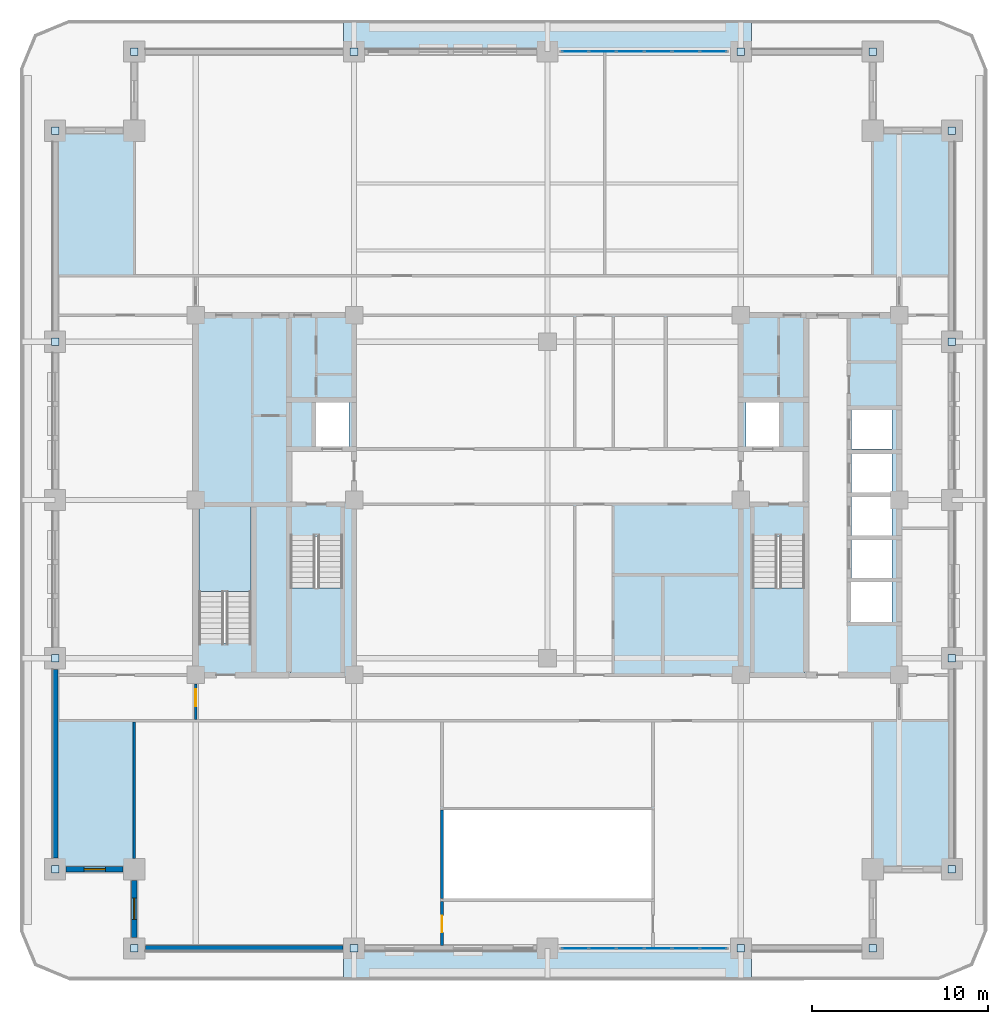
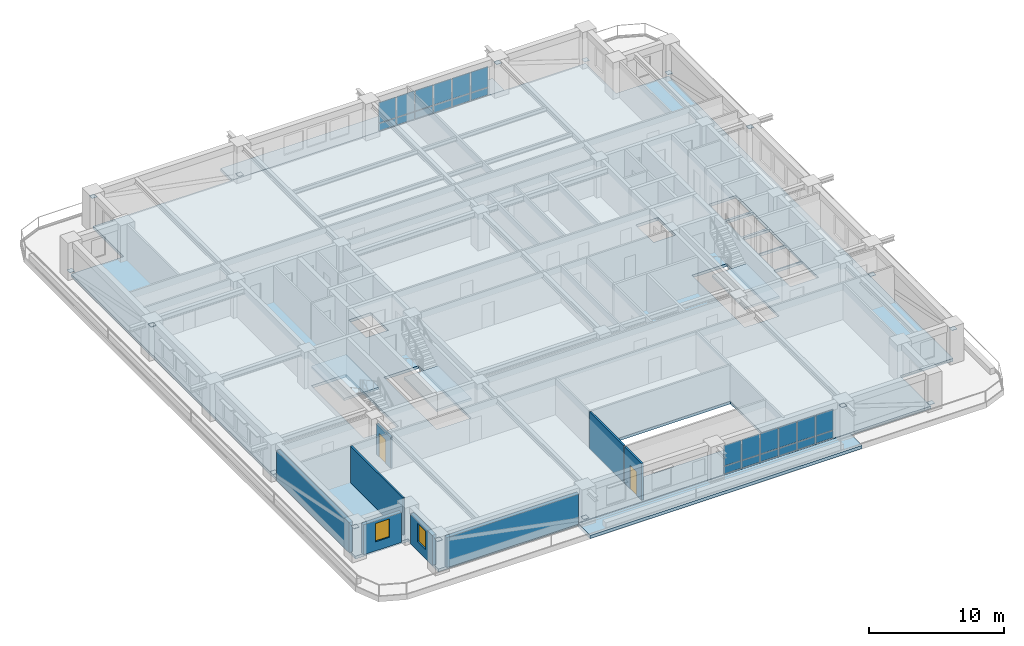
# One storey, part 7 of 20: 40 plates, 8 walls, 6 slabs, 2 doors, 2 windows, 4 openings, 5 elements without a shape of their own.
"""IFC4 building model written with IfcOpenShell, lengths in metres."""

from ifc_helpers import new_model, si_unit, direction, frame, frame_2d, origin, origin_2d, place, context, subcontext, project, spatial, polyline, rectangle, outline, extrude, material, layer, layer_set, type_object, element, fill, aggregate, save


model = new_model("IFC4")

# Units and contexts
model_context = context("Model", 3, precision=1e-05, world=origin(), true_north=direction((0.0, 1.0)))
body_context = subcontext(model_context, "Body", "Model", "MODEL_VIEW")
ifc_project = project(units=[si_unit("LENGTHUNIT", "METRE"), si_unit("AREAUNIT", "SQUARE_METRE"), si_unit("VOLUMEUNIT", "CUBIC_METRE"), si_unit("PLANEANGLEUNIT", "RADIAN"), si_unit("MASSUNIT", "GRAM", prefix="KILO")], contexts=[model_context])

# Site, building, storey
site_placement = place(None, origin())
site = spatial("IfcSite", under=ifc_project, at=site_placement, CompositionType="ELEMENT")
building_placement = place(site_placement, origin())
building = spatial("IfcBuilding", under=site, at=building_placement, Name="Zulmaris Gate Convention Tower", CompositionType="ELEMENT")
storey_placement = place(building_placement, frame((0.0, 0.0, 146.33984375)))
storey = spatial("IfcBuildingStorey", under=building, at=storey_placement, Name="L37", CompositionType="ELEMENT", Elevation=146.33984375)

# Curtain wall, plates
ifc_material_1 = material(Name="Anodised Aluminium", Category="aluminium")
curtain_wall_type = type_object("IfcCurtainWallType", Name="CW-06", PredefinedType="NOTDEFINED", material=ifc_material_1)
curtain_wall_1_placement = place(storey_placement, origin())
curtain_wall_1 = element("IfcCurtainWall", 1, at=curtain_wall_1_placement, inside=storey, type_object=curtain_wall_type, Name="CW-06 CW06-L37-S-2_0", PredefinedType="NOTDEFINED")
ifc_material_2 = material(Name="Low-E Double Glazing", Category="glass")
ifc_layer_1 = layer(ifc_material_2, 0.028076171875, Name="Low-E Double Glazing")
ifc_layer_set_1 = layer_set([ifc_layer_1], Name="Low-E Double Glazing")
plate_type_1 = type_object("IfcPlateType", Name="CW-06-VISION", PredefinedType="CURTAIN_PANEL", material=ifc_layer_set_1)
plate_1_placement = place(storey_placement, frame((1.56884765625, -25.5, 0.0751953125), z_axis=(0.0, 0.0, 1.0), x_axis=(1.0, 0.0, 0.0)))
plate_1 = element("IfcPlate", 2, at=plate_1_placement, type_object=plate_type_1, Name="CW-06 panel 1.1", PredefinedType="CURTAIN_PANEL", context=body_context, shape_type="SweptSolid", body=[
    extrude(rectangle(XDim=1.467529296875, YDim=0.028076171875, at=origin_2d()), origin(), (0.0, 0.0, 1.0), 0.637451171875),
])
plate_2_placement = place(storey_placement, frame((1.56884765625, -25.5, 0.787353515625), z_axis=(0.0, 0.0, 1.0), x_axis=(1.0, 0.0, 0.0)))
plate_2 = element("IfcPlate", 3, at=plate_2_placement, type_object=plate_type_1, Name="CW-06 panel 1.2", PredefinedType="CURTAIN_PANEL", context=body_context, shape_type="SweptSolid", body=[
    extrude(rectangle(XDim=1.467529296875, YDim=0.028076171875, at=origin_2d()), origin(), (0.0, 0.0, 1.0), 1.849609375),
])
plate_3_placement = place(storey_placement, frame((3.1298828125, -25.5, 0.0751953125), z_axis=(0.0, 0.0, 1.0), x_axis=(1.0, 0.0, 0.0)))
plate_3 = element("IfcPlate", 4, at=plate_3_placement, type_object=plate_type_1, Name="CW-06 panel 2.1", PredefinedType="CURTAIN_PANEL", context=body_context, shape_type="SweptSolid", body=[
    extrude(rectangle(XDim=1.5048828125, YDim=0.028076171875, at=origin_2d()), origin(), (0.0, 0.0, 1.0), 0.637451171875),
])
plate_4_placement = place(storey_placement, frame((3.1298828125, -25.5, 0.787353515625), z_axis=(0.0, 0.0, 1.0), x_axis=(1.0, 0.0, 0.0)))
plate_4 = element("IfcPlate", 5, at=plate_4_placement, type_object=plate_type_1, Name="CW-06 panel 2.2", PredefinedType="CURTAIN_PANEL", context=body_context, shape_type="SweptSolid", body=[
    extrude(rectangle(XDim=1.5048828125, YDim=0.028076171875, at=origin_2d()), origin(), (0.0, 0.0, 1.0), 1.849609375),
])
plate_5_placement = place(storey_placement, frame((4.7099609375, -25.5, 0.0751953125), z_axis=(0.0, 0.0, 1.0), x_axis=(1.0, 0.0, 0.0)))
plate_5 = element("IfcPlate", 6, at=plate_5_placement, type_object=plate_type_1, Name="CW-06 panel 3.1", PredefinedType="CURTAIN_PANEL", context=body_context, shape_type="SweptSolid", body=[
    extrude(rectangle(XDim=1.5048828125, YDim=0.028076171875, at=origin_2d()), origin(), (0.0, 0.0, 1.0), 0.637451171875),
])
plate_6_placement = place(storey_placement, frame((4.7099609375, -25.5, 0.787353515625), z_axis=(0.0, 0.0, 1.0), x_axis=(1.0, 0.0, 0.0)))
plate_6 = element("IfcPlate", 7, at=plate_6_placement, type_object=plate_type_1, Name="CW-06 panel 3.2", PredefinedType="CURTAIN_PANEL", context=body_context, shape_type="SweptSolid", body=[
    extrude(rectangle(XDim=1.5048828125, YDim=0.028076171875, at=origin_2d()), origin(), (0.0, 0.0, 1.0), 1.849609375),
])
plate_7_placement = place(storey_placement, frame((6.2900390625, -25.5, 0.0751953125), z_axis=(0.0, 0.0, 1.0), x_axis=(1.0, 0.0, 0.0)))
plate_7 = element("IfcPlate", 8, at=plate_7_placement, type_object=plate_type_1, Name="CW-06 panel 4.1", PredefinedType="CURTAIN_PANEL", context=body_context, shape_type="SweptSolid", body=[
    extrude(rectangle(XDim=1.5048828125, YDim=0.028076171875, at=origin_2d()), origin(), (0.0, 0.0, 1.0), 0.637451171875),
])
plate_8_placement = place(storey_placement, frame((6.2900390625, -25.5, 0.787353515625), z_axis=(0.0, 0.0, 1.0), x_axis=(1.0, 0.0, 0.0)))
plate_8 = element("IfcPlate", 9, at=plate_8_placement, type_object=plate_type_1, Name="CW-06 panel 4.2", PredefinedType="CURTAIN_PANEL", context=body_context, shape_type="SweptSolid", body=[
    extrude(rectangle(XDim=1.5048828125, YDim=0.028076171875, at=origin_2d()), origin(), (0.0, 0.0, 1.0), 1.849609375),
])
plate_9_placement = place(storey_placement, frame((7.8701171875, -25.5, 0.0751953125), z_axis=(0.0, 0.0, 1.0), x_axis=(1.0, 0.0, 0.0)))
plate_9 = element("IfcPlate", 10, at=plate_9_placement, type_object=plate_type_1, Name="CW-06 panel 5.1", PredefinedType="CURTAIN_PANEL", context=body_context, shape_type="SweptSolid", body=[
    extrude(rectangle(XDim=1.5048828125, YDim=0.028076171875, at=origin_2d()), origin(), (0.0, 0.0, 1.0), 0.637451171875),
])
plate_10_placement = place(storey_placement, frame((7.8701171875, -25.5, 0.787353515625), z_axis=(0.0, 0.0, 1.0), x_axis=(1.0, 0.0, 0.0)))
plate_10 = element("IfcPlate", 11, at=plate_10_placement, type_object=plate_type_1, Name="CW-06 panel 5.2", PredefinedType="CURTAIN_PANEL", context=body_context, shape_type="SweptSolid", body=[
    extrude(rectangle(XDim=1.5048828125, YDim=0.028076171875, at=origin_2d()), origin(), (0.0, 0.0, 1.0), 1.849609375),
])
plate_11_placement = place(storey_placement, frame((9.43115234375, -25.5, 0.0751953125), z_axis=(0.0, 0.0, 1.0), x_axis=(1.0, 0.0, 0.0)))
plate_11 = element("IfcPlate", 12, at=plate_11_placement, type_object=plate_type_1, Name="CW-06 panel 6.1", PredefinedType="CURTAIN_PANEL", context=body_context, shape_type="SweptSolid", body=[
    extrude(rectangle(XDim=1.467529296875, YDim=0.028076171875, at=origin_2d()), origin(), (0.0, 0.0, 1.0), 0.637451171875),
])
plate_12_placement = place(storey_placement, frame((9.43115234375, -25.5, 0.787353515625), z_axis=(0.0, 0.0, 1.0), x_axis=(1.0, 0.0, 0.0)))
plate_12 = element("IfcPlate", 13, at=plate_12_placement, type_object=plate_type_1, Name="CW-06 panel 6.2", PredefinedType="CURTAIN_PANEL", context=body_context, shape_type="SweptSolid", body=[
    extrude(rectangle(XDim=1.467529296875, YDim=0.028076171875, at=origin_2d()), origin(), (0.0, 0.0, 1.0), 1.849609375),
])
aggregate(curtain_wall_1, [plate_1, plate_2, plate_3, plate_4, plate_5, plate_6, plate_7, plate_8, plate_9, plate_10, plate_11, plate_12])

curtain_wall_2_placement = place(storey_placement, origin())
curtain_wall_2 = element("IfcCurtainWall", 14, at=curtain_wall_2_placement, inside=storey, type_object=curtain_wall_type, Name="CW-06 CW06-L37-N-2_0", PredefinedType="NOTDEFINED")
plate_13_placement = place(storey_placement, frame((9.43115234375, 25.5, 0.0751953125), z_axis=(0.0, 0.0, 1.0), x_axis=(-1.0, 0.0, 0.0)))
plate_13 = element("IfcPlate", 15, at=plate_13_placement, type_object=plate_type_1, Name="CW-06 panel 1.1", PredefinedType="CURTAIN_PANEL", context=body_context, shape_type="SweptSolid", body=[
    extrude(rectangle(XDim=1.467529296875, YDim=0.028076171875, at=origin_2d()), origin(), (0.0, 0.0, 1.0), 0.637451171875),
])
plate_14_placement = place(storey_placement, frame((9.43115234375, 25.5, 0.787353515625), z_axis=(0.0, 0.0, 1.0), x_axis=(-1.0, 0.0, 0.0)))
plate_14 = element("IfcPlate", 16, at=plate_14_placement, type_object=plate_type_1, Name="CW-06 panel 1.2", PredefinedType="CURTAIN_PANEL", context=body_context, shape_type="SweptSolid", body=[
    extrude(rectangle(XDim=1.467529296875, YDim=0.028076171875, at=origin_2d()), origin(), (0.0, 0.0, 1.0), 1.849609375),
])
plate_15_placement = place(storey_placement, frame((7.8701171875, 25.5, 0.0751953125), z_axis=(0.0, 0.0, 1.0), x_axis=(-1.0, 0.0, 0.0)))
plate_15 = element("IfcPlate", 17, at=plate_15_placement, type_object=plate_type_1, Name="CW-06 panel 2.1", PredefinedType="CURTAIN_PANEL", context=body_context, shape_type="SweptSolid", body=[
    extrude(rectangle(XDim=1.5048828125, YDim=0.028076171875, at=origin_2d()), origin(), (0.0, 0.0, 1.0), 0.637451171875),
])
plate_16_placement = place(storey_placement, frame((7.8701171875, 25.5, 0.787353515625), z_axis=(0.0, 0.0, 1.0), x_axis=(-1.0, 0.0, 0.0)))
plate_16 = element("IfcPlate", 18, at=plate_16_placement, type_object=plate_type_1, Name="CW-06 panel 2.2", PredefinedType="CURTAIN_PANEL", context=body_context, shape_type="SweptSolid", body=[
    extrude(rectangle(XDim=1.5048828125, YDim=0.028076171875, at=origin_2d()), origin(), (0.0, 0.0, 1.0), 1.849609375),
])
plate_17_placement = place(storey_placement, frame((6.2900390625, 25.5, 0.0751953125), z_axis=(0.0, 0.0, 1.0), x_axis=(-1.0, 0.0, 0.0)))
plate_17 = element("IfcPlate", 19, at=plate_17_placement, type_object=plate_type_1, Name="CW-06 panel 3.1", PredefinedType="CURTAIN_PANEL", context=body_context, shape_type="SweptSolid", body=[
    extrude(rectangle(XDim=1.5048828125, YDim=0.028076171875, at=origin_2d()), origin(), (0.0, 0.0, 1.0), 0.637451171875),
])
plate_18_placement = place(storey_placement, frame((6.2900390625, 25.5, 0.787353515625), z_axis=(0.0, 0.0, 1.0), x_axis=(-1.0, 0.0, 0.0)))
plate_18 = element("IfcPlate", 20, at=plate_18_placement, type_object=plate_type_1, Name="CW-06 panel 3.2", PredefinedType="CURTAIN_PANEL", context=body_context, shape_type="SweptSolid", body=[
    extrude(rectangle(XDim=1.5048828125, YDim=0.028076171875, at=origin_2d()), origin(), (0.0, 0.0, 1.0), 1.849609375),
])
plate_19_placement = place(storey_placement, frame((4.7099609375, 25.5, 0.0751953125), z_axis=(0.0, 0.0, 1.0), x_axis=(-1.0, 0.0, 0.0)))
plate_19 = element("IfcPlate", 21, at=plate_19_placement, type_object=plate_type_1, Name="CW-06 panel 4.1", PredefinedType="CURTAIN_PANEL", context=body_context, shape_type="SweptSolid", body=[
    extrude(rectangle(XDim=1.5048828125, YDim=0.028076171875, at=origin_2d()), origin(), (0.0, 0.0, 1.0), 0.637451171875),
])
plate_20_placement = place(storey_placement, frame((4.7099609375, 25.5, 0.787353515625), z_axis=(0.0, 0.0, 1.0), x_axis=(-1.0, 0.0, 0.0)))
plate_20 = element("IfcPlate", 22, at=plate_20_placement, type_object=plate_type_1, Name="CW-06 panel 4.2", PredefinedType="CURTAIN_PANEL", context=body_context, shape_type="SweptSolid", body=[
    extrude(rectangle(XDim=1.5048828125, YDim=0.028076171875, at=origin_2d()), origin(), (0.0, 0.0, 1.0), 1.849609375),
])
plate_21_placement = place(storey_placement, frame((3.1298828125, 25.5, 0.0751953125), z_axis=(0.0, 0.0, 1.0), x_axis=(-1.0, 0.0, 0.0)))
plate_21 = element("IfcPlate", 23, at=plate_21_placement, type_object=plate_type_1, Name="CW-06 panel 5.1", PredefinedType="CURTAIN_PANEL", context=body_context, shape_type="SweptSolid", body=[
    extrude(rectangle(XDim=1.5048828125, YDim=0.028076171875, at=origin_2d()), origin(), (0.0, 0.0, 1.0), 0.637451171875),
])
plate_22_placement = place(storey_placement, frame((3.1298828125, 25.5, 0.787353515625), z_axis=(0.0, 0.0, 1.0), x_axis=(-1.0, 0.0, 0.0)))
plate_22 = element("IfcPlate", 24, at=plate_22_placement, type_object=plate_type_1, Name="CW-06 panel 5.2", PredefinedType="CURTAIN_PANEL", context=body_context, shape_type="SweptSolid", body=[
    extrude(rectangle(XDim=1.5048828125, YDim=0.028076171875, at=origin_2d()), origin(), (0.0, 0.0, 1.0), 1.849609375),
])
plate_23_placement = place(storey_placement, frame((1.56884765625, 25.5, 0.0751953125), z_axis=(0.0, 0.0, 1.0), x_axis=(-1.0, 0.0, 0.0)))
plate_23 = element("IfcPlate", 25, at=plate_23_placement, type_object=plate_type_1, Name="CW-06 panel 6.1", PredefinedType="CURTAIN_PANEL", context=body_context, shape_type="SweptSolid", body=[
    extrude(rectangle(XDim=1.467529296875, YDim=0.028076171875, at=origin_2d()), origin(), (0.0, 0.0, 1.0), 0.637451171875),
])
plate_24_placement = place(storey_placement, frame((1.56884765625, 25.5, 0.787353515625), z_axis=(0.0, 0.0, 1.0), x_axis=(-1.0, 0.0, 0.0)))
plate_24 = element("IfcPlate", 26, at=plate_24_placement, type_object=plate_type_1, Name="CW-06 panel 6.2", PredefinedType="CURTAIN_PANEL", context=body_context, shape_type="SweptSolid", body=[
    extrude(rectangle(XDim=1.467529296875, YDim=0.028076171875, at=origin_2d()), origin(), (0.0, 0.0, 1.0), 1.849609375),
])
aggregate(curtain_wall_2, [plate_13, plate_14, plate_15, plate_16, plate_17, plate_18, plate_19, plate_20, plate_21, plate_22, plate_23, plate_24])

# Plates
ifc_material_3 = material(Name="Steel S460", Category="steel")
ifc_layer_2 = layer(ifc_material_3, 0.02490234375, Name="Steel S460")
ifc_layer_set_2 = layer_set([ifc_layer_2], Name="Steel S460")
plate_type_2 = type_object("IfcPlateType", Name="NP-CAP-440", PredefinedType="USERDEFINED", material=ifc_layer_set_2)
for number, where, z_axis, x_axis, name in (
    (27, (-28.0, -9.0, 0.28759765625), (0.0, 0.0, 1.0), (1.0, 0.0, 0.0), "L37 Steel Node Plate PBR-L37-SW-W-CAP"),
    (28, (-28.0, -21.0, 2.6875), (0.0, 0.0, 1.0), (1.0, 0.0, 0.0), "L37 Steel Node Plate PBR-L37-SW-W-CAPB"),
    (29, (-28.0, 21.0, 0.28759765625), (0.0, 0.0, 1.0), (1.0, 0.0, 0.0), "L37 Steel Node Plate PBR-L37-NW-W-CAP"),
    (30, (-28.0, 9.0, 2.6875), (0.0, 0.0, 1.0), (1.0, 0.0, 0.0), "L37 Steel Node Plate PBR-L37-NW-W-CAPB"),
    (31, (23.0, -9.0, 0.28759765625), (0.0, 0.0, 1.0), (1.0, 0.0, 0.0), "L37 Steel Node Plate PBR-L37-SE-E-CAP"),
    (32, (23.0, -21.0, 2.6875), (0.0, 0.0, 1.0), (1.0, 0.0, 0.0), "L37 Steel Node Plate PBR-L37-SE-E-CAPB"),
    (33, (23.0, 21.0, 0.28759765625), (0.0, 0.0, 1.0), (1.0, 0.0, 0.0), "L37 Steel Node Plate PBR-L37-NE-E-CAP"),
    (34, (23.0, 9.0, 2.6875), (0.0, 0.0, 1.0), (1.0, 0.0, 0.0), "L37 Steel Node Plate PBR-L37-NE-E-CAPB"),
    (35, (-11.0, -25.5, 0.28759765625), (0.0, 0.0, 1.0), (1.0, 0.0, 0.0), "L37 Steel Node Plate PBR-L37-SW-S-CAP"),
    (36, (-23.5, -25.5, 2.6875), (0.0, 0.0, 1.0), (1.0, 0.0, 0.0), "L37 Steel Node Plate PBR-L37-SW-S-CAPB"),
    (37, (18.5, -25.5, 0.28759765625), (0.0, 0.0, 1.0), (1.0, 0.0, 0.0), "L37 Steel Node Plate PBR-L37-SE-S-CAP"),
    (38, (11.0, -25.5, 2.6875), (0.0, 0.0, 1.0), (1.0, 0.0, 0.0), "L37 Steel Node Plate PBR-L37-SE-S-CAPB"),
    (39, (-11.0, 25.5, 0.28759765625), (0.0, 0.0, 1.0), (1.0, 0.0, 0.0), "L37 Steel Node Plate PBR-L37-NW-N-CAP"),
    (40, (-23.5, 25.5, 2.6875), (0.0, 0.0, 1.0), (1.0, 0.0, 0.0), "L37 Steel Node Plate PBR-L37-NW-N-CAPB"),
    (41, (18.5, 25.5, 0.28759765625), (0.0, 0.0, 1.0), (1.0, 0.0, 0.0), "L37 Steel Node Plate PBR-L37-NE-N-CAP"),
    (42, (11.0, 25.5, 2.6875), (0.0, 0.0, 1.0), (1.0, 0.0, 0.0), "L37 Steel Node Plate PBR-L37-NE-N-CAPB"),
):
    element("IfcPlate", number, at=place(storey_placement, frame(where, z_axis=z_axis, x_axis=x_axis)), inside=storey, type_object=plate_type_2, Name=name, ObjectType="FLANGE PLATE", PredefinedType="USERDEFINED", context=body_context, shape_type="SweptSolid", body=[
        extrude(rectangle(XDim=0.43994140625, YDim=0.43994140625, at=origin_2d()), origin(), (0.0, 0.0, 1.0), 0.02490234375),
    ])

# Slabs
ifc_material_4 = material(Name="Precast concrete C50/60", Category="concrete")
ifc_layer_3 = layer(ifc_material_4, 0.239990234375, Name="Precast concrete C50/60")
ifc_layer_set_3 = layer_set([ifc_layer_3], Name="Precast concrete C50/60")
slab_type_1 = type_object("IfcSlabType", Name="SL-BAL-240", PredefinedType="FLOOR", material=ifc_layer_set_3)
slab_1_placement = place(storey_placement, frame((0.0, 0.0, -0.324951171875)))
element("IfcSlab", 43, at=slab_1_placement, inside=storey, type_object=slab_type_1, Name="L37 South Tree-Balcony Planter Slab", PredefinedType="FLOOR", context=body_context, shape_type="SweptSolid", body=[
    extrude(outline(polyline([(-11.597900390625, -27.300048828125), (-11.597900390625, -25.5), (11.597900390625, -25.5), (11.597900390625, -27.300048828125), (-11.597900390625, -27.300048828125)])), origin(), (0.0, 0.0, 1.0), 0.284912109375),
])
slab_2_placement = place(storey_placement, frame((0.0, 0.0, -0.324951171875)))
element("IfcSlab", 44, at=slab_2_placement, inside=storey, type_object=slab_type_1, Name="L37 North Tree-Balcony Planter Slab", PredefinedType="FLOOR", context=body_context, shape_type="SweptSolid", body=[
    extrude(outline(polyline([(11.597900390625, 27.300048828125), (11.597900390625, 25.5), (-11.597900390625, 25.5), (-11.597900390625, 27.300048828125), (11.597900390625, 27.300048828125)])), origin(), (0.0, 0.0, 1.0), 0.284912109375),
])
ifc_material_5 = material(Name="Concrete C50/60", Category="concrete")
ifc_layer_4 = layer(ifc_material_5, 0.25, Name="Concrete C50/60")
ifc_layer_set_4 = layer_set([ifc_layer_4], Name="Concrete C50/60")
slab_type_2 = type_object("IfcSlabType", Name="SL-FLR-250", PredefinedType="FLOOR", material=ifc_layer_set_4)
slab_3_placement = place(storey_placement, frame((0.0, 0.0, -0.25)))
element("IfcSlab", 45, at=slab_3_placement, inside=storey, type_object=slab_type_2, Name="L37 Shifted Notched-Square Structural Floor Slab", PredefinedType="FLOOR", context=body_context, shape_type="SweptSolid", body=[
    extrude(outline(polyline([(-23.5, -25.5), (18.5, -25.5), (18.5, -21.0), (23.0, -21.0), (23.0, 21.0), (18.5, 21.0), (18.5, 25.5), (-23.5, 25.5), (-23.5, 21.0), (-28.0, 21.0), (-28.0, -21.0), (-23.5, -21.0), (-23.5, -25.5)]), holes=[polyline([(-14.6201171875, -2.080078125), (-14.6201171875, -9.85009765625), (-11.659912109375, -9.85009765625), (-11.659912109375, -2.080078125), (-14.6201171875, -2.080078125)]), polyline([(11.659912109375, -2.080078125), (11.659912109375, -9.85009765625), (14.6201171875, -9.85009765625), (14.6201171875, -2.080078125), (11.659912109375, -2.080078125)]), polyline([(-16.860107421875, -8.1201171875), (-16.860107421875, -0.35009765625), (-19.820068359375, -0.35009765625), (-19.820068359375, -8.1201171875), (-16.860107421875, -8.1201171875)]), polyline([(-13.199951171875, 3.0), (-11.300048828125, 3.0), (-11.300048828125, 5.60009765625), (-13.199951171875, 5.60009765625), (-13.199951171875, 3.0)]), polyline([(11.300048828125, 3.0), (13.199951171875, 3.0), (13.199951171875, 5.60009765625), (11.300048828125, 5.60009765625), (11.300048828125, 3.0)]), polyline([(17.199951171875, -7.0), (19.60009765625, -7.0), (19.60009765625, -4.60009765625), (17.199951171875, -4.60009765625), (17.199951171875, -7.0)]), polyline([(17.300048828125, -4.5), (19.60009765625, -4.5), (19.60009765625, -2.199951171875), (17.300048828125, -2.199951171875), (17.300048828125, -4.5)]), polyline([(17.300048828125, -2.10009765625), (19.60009765625, -2.10009765625), (19.60009765625, 0.199951171875), (17.300048828125, 0.199951171875), (17.300048828125, -2.10009765625)]), polyline([(17.300048828125, 0.39990234375), (19.60009765625, 0.39990234375), (19.60009765625, 2.699951171875), (17.300048828125, 2.699951171875), (17.300048828125, 0.39990234375)]), polyline([(17.300048828125, 2.89990234375), (19.60009765625, 2.89990234375), (19.60009765625, 5.199951171875), (17.300048828125, 5.199951171875), (17.300048828125, 2.89990234375)]), polyline([(-6.0, -22.75), (6.0, -22.75), (6.0, -17.550048828125), (-6.0, -17.550048828125), (-6.0, -22.75)])]), origin(), (0.0, 0.0, 1.0), 0.25),
])

# Stair, slab
ifc_material_6 = material(Name="Concrete C45/55", Category="concrete")
stair_type = type_object("IfcStairType", Name="ST-CORE-DOGLEG", PredefinedType="HALF_TURN_STAIR", material=ifc_material_6)
stair_1_placement = place(storey_placement, origin())
stair_1 = element("IfcStair", 46, at=stair_1_placement, inside=storey, type_object=stair_type, Name="L37 Core Exit Stair ST-1", PredefinedType="HALF_TURN_STAIR")
ifc_layer_5 = layer(ifc_material_6, 0.199951171875, Name="Concrete C45/55")
ifc_layer_set_5 = layer_set([ifc_layer_5], Name="Concrete C45/55")
slab_type_3 = type_object("IfcSlabType", Name="SL-LND-200", PredefinedType="LANDING", material=ifc_layer_set_5)
slab_4_placement = place(storey_placement, frame((0.0, 0.0, 1.5849609375)))
slab_4 = element("IfcSlab", 47, at=slab_4_placement, type_object=slab_type_3, Name="ST-1 landing 1", PredefinedType="LANDING", context=body_context, shape_type="SweptSolid", body=[
    extrude(outline(polyline([(-14.6201171875, -5.0), (-14.6201171875, -9.85009765625), (-11.659912109375, -9.85009765625), (-11.659912109375, -5.0), (-14.6201171875, -5.0)])), origin(), (0.0, 0.0, 1.0), 0.199951171875),
])
aggregate(stair_1, [slab_4])

stair_2_placement = place(storey_placement, origin())
stair_2 = element("IfcStair", 48, at=stair_2_placement, inside=storey, type_object=stair_type, Name="L37 Core Exit Stair ST-2", PredefinedType="HALF_TURN_STAIR")
slab_5_placement = place(storey_placement, frame((0.0, 0.0, 1.5849609375)))
slab_5 = element("IfcSlab", 49, at=slab_5_placement, type_object=slab_type_3, Name="ST-2 landing 1", PredefinedType="LANDING", context=body_context, shape_type="SweptSolid", body=[
    extrude(outline(polyline([(11.659912109375, -5.0), (11.659912109375, -9.85009765625), (14.6201171875, -9.85009765625), (14.6201171875, -5.0), (11.659912109375, -5.0)])), origin(), (0.0, 0.0, 1.0), 0.199951171875),
])
aggregate(stair_2, [slab_5])

stair_3_placement = place(storey_placement, origin())
stair_3 = element("IfcStair", 50, at=stair_3_placement, inside=storey, type_object=stair_type, Name="L37 Core Exit Stair ST-3", PredefinedType="HALF_TURN_STAIR")
slab_6_placement = place(storey_placement, frame((0.0, 0.0, 1.5849609375)))
slab_6 = element("IfcSlab", 51, at=slab_6_placement, type_object=slab_type_3, Name="ST-3 landing 1", PredefinedType="LANDING", context=body_context, shape_type="SweptSolid", body=[
    extrude(outline(polyline([(-16.860107421875, -5.199951171875), (-16.860107421875, -0.35009765625), (-19.820068359375, -0.35009765625), (-19.820068359375, -5.199951171875), (-16.860107421875, -5.199951171875)])), origin(), (0.0, 0.0, 1.0), 0.199951171875),
])
aggregate(stair_3, [slab_6])

# Wall
ifc_material_7 = material(Name="Gypsum Metal Stud Partition")
ifc_layer_6 = layer(ifc_material_7, 0.14990234375, Name="Gypsum Metal Stud Partition")
ifc_layer_set_6 = layer_set([ifc_layer_6], Name="Gypsum Metal Stud Partition")
wall_type_1 = type_object("IfcWallType", Name="PART-150", PredefinedType="PARTITIONING", material=ifc_layer_set_6)
wall_1_placement = place(storey_placement, frame((-23.5, -20.39404296875, 0.0), z_axis=(0.0, 0.0, 1.0), x_axis=(0.0, 1.0, 0.0)))
element("IfcWall", 52, at=wall_1_placement, inside=storey, type_object=wall_type_1, Name="WL-L37-074", PredefinedType="PARTITIONING", context=body_context, shape_type="SweptSolid", body=[
    extrude(rectangle(XDim=7.76611328125, YDim=0.14990234375, at=frame_2d((3.883056640625, 0.0))), origin(), (0.0, 0.0, 1.0), 3.320068359375),
])

# Wall, opening, door
wall_2_placement = place(storey_placement, frame((-20.0, -12.471923828125, 0.0), z_axis=(0.0, 0.0, 1.0), x_axis=(0.0, 1.0, 0.0)))
wall_2 = element("IfcWall", 53, at=wall_2_placement, inside=storey, type_object=wall_type_1, Name="WL-L37-076", PredefinedType="PARTITIONING", context=body_context, shape_type="SweptSolid", body=[
    extrude(rectangle(XDim=2.015869140625, YDim=0.14990234375, at=frame_2d((1.0078125, 0.0))), origin(), (0.0, 0.0, 1.0), 2.81005859375),
])
opening_1_placement = place(wall_2_placement, frame((0.7470703125, 0.0, 0.0)))
opening_1 = element("IfcOpeningElement", 54, at=opening_1_placement, cuts=wall_2, Name="Opening D-11", PredefinedType="OPENING", context=body_context, shape_type="SweptSolid", body=[
    extrude(rectangle(XDim=0.949951171875, YDim=2.14990234375, at=frame_2d((0.47509765625, 1.074951171875))), frame((0.0, 0.0849609375, 0.0), z_axis=(0.0, -1.0, 0.0), x_axis=(1.0, 0.0, 0.0)), (0.0, 0.0, 1.0), 0.169921875),
])
ifc_material_8 = material(Name="Fire-Rated Timber", Category="wood")
door_type_1 = type_object("IfcDoorType", Name="DR-950-FD", OperationType="NOTDEFINED", PredefinedType="DOOR", material=ifc_material_8)
door_1_placement = place(opening_1_placement, origin())
door_1 = element("IfcDoor", 55, at=door_1_placement, inside=storey, type_object=door_type_1, Name="L37 SW Spur Door 44", OperationType="SINGLE_SWING_RIGHT", OverallHeight=2.14990234375, OverallWidth=0.949951171875, PredefinedType="DOOR", context=body_context, shape_type="SweptSolid", body=[
    extrude(rectangle(XDim=0.949951171875, YDim=2.14990234375, at=frame_2d((0.47509765625, 1.074951171875))), frame((0.0, 0.02490234375, 0.0), z_axis=(0.0, -1.0, 0.0), x_axis=(1.0, 0.0, 0.0)), (0.0, 0.0, 1.0), 0.050048828125),
])
fill(opening_1, door_1)

wall_3_placement = place(storey_placement, frame((-6.0, -25.3349609375, 0.0), z_axis=(0.0, 0.0, 1.0), x_axis=(0.0, 1.0, 0.0)))
wall_3 = element("IfcWall", 56, at=wall_3_placement, inside=storey, type_object=wall_type_1, Name="WL-L37-082", PredefinedType="PARTITIONING", context=body_context, shape_type="SweptSolid", body=[
    extrude(rectangle(XDim=2.507080078125, YDim=0.14990234375, at=frame_2d((1.25341796875, 0.0))), origin(), (0.0, 0.0, 1.0), 3.320068359375),
])
opening_2_placement = place(wall_3_placement, frame((0.739990234375, 0.0, 0.0)))
opening_2 = element("IfcOpeningElement", 57, at=opening_2_placement, cuts=wall_3, Name="Opening D-16", PredefinedType="OPENING", context=body_context, shape_type="SweptSolid", body=[
    extrude(rectangle(XDim=0.949951171875, YDim=2.14990234375, at=frame_2d((0.47509765625, 1.074951171875))), frame((0.0, 0.0849609375, 0.0), z_axis=(0.0, -1.0, 0.0), x_axis=(1.0, 0.0, 0.0)), (0.0, 0.0, 1.0), 0.169921875),
])
ifc_material_9 = material(Name="Veneered Hardwood Timber", Category="wood")
door_type_2 = type_object("IfcDoorType", Name="DR-950", OperationType="NOTDEFINED", PredefinedType="DOOR", material=ifc_material_9)
door_2_placement = place(opening_2_placement, origin())
door_2 = element("IfcDoor", 58, at=door_2_placement, inside=storey, type_object=door_type_2, Name="L37 Terrace Loggia West Door 31", OperationType="SINGLE_SWING_LEFT", OverallHeight=2.14990234375, OverallWidth=0.949951171875, PredefinedType="DOOR", context=body_context, shape_type="SweptSolid", body=[
    extrude(rectangle(XDim=0.949951171875, YDim=2.14990234375, at=frame_2d((0.47509765625, 1.074951171875))), frame((0.0, 0.02490234375, 0.0), z_axis=(0.0, -1.0, 0.0), x_axis=(1.0, 0.0, 0.0)), (0.0, 0.0, 1.0), 0.050048828125),
])
fill(opening_2, door_2)

# Wall
wall_4_placement = place(storey_placement, frame((-6.0, -22.672119140625, 0.0), z_axis=(0.0, 0.0, 1.0), x_axis=(0.0, 1.0, 0.0)))
element("IfcWall", 59, at=wall_4_placement, inside=storey, type_object=wall_type_1, Name="WL-L37-083", PredefinedType="PARTITIONING", context=body_context, shape_type="SweptSolid", body=[
    extrude(rectangle(XDim=5.044189453125, YDim=0.14990234375, at=frame_2d((2.52197265625, 0.0))), origin(), (0.0, 0.0, 1.0), 3.320068359375),
])

# Wall, opening, window
ifc_material_10 = material(Name="Precast concrete C40/50", Category="concrete")
ifc_layer_7 = layer(ifc_material_10, 0.300048828125, Name="Precast concrete C40/50")
ifc_layer_set_7 = layer_set([ifc_layer_7], Name="Precast concrete C40/50")
wall_type_2 = type_object("IfcWallType", Name="PRECAST-PIER-300", PredefinedType="STANDARD", material=ifc_layer_set_7)
wall_5_placement = place(storey_placement, frame((-27.3701171875, -21.0, 0.0), z_axis=(0.0, 0.0, 1.0), x_axis=(1.0, 0.0, 0.0)))
wall_5 = element("IfcWall", 60, at=wall_5_placement, inside=storey, type_object=wall_type_2, Name="EW-L37-NOTCH-SW1_0", PredefinedType="STANDARD", context=body_context, shape_type="SweptSolid", body=[
    extrude(rectangle(XDim=3.240234375, YDim=0.300048828125, at=frame_2d((1.6201171875, 0.0))), origin(), (0.0, 0.0, 1.0), 2.712158203125),
])
opening_3_placement = place(wall_5_placement, frame((1.02001953125, 0.0, 0.820068359375)))
opening_3 = element("IfcOpeningElement", 61, at=opening_3_placement, cuts=wall_5, Name="Opening W-04", PredefinedType="OPENING", context=body_context, shape_type="SweptSolid", body=[
    extrude(rectangle(XDim=1.199951171875, YDim=1.64990234375, at=frame_2d((0.60009765625, 0.824951171875))), frame((0.0, 0.16015625, 0.0), z_axis=(0.0, -1.0, 0.0), x_axis=(1.0, 0.0, 0.0)), (0.0, 0.0, 1.0), 0.320068359375),
])
ifc_material_11 = material(Name="Low-E Laminated Double Glazing in Aluminium Frame", Category="aluminium")
window_type = type_object("IfcWindowType", Name="WIN-1200x2100", PartitioningType="SINGLE_PANEL", PredefinedType="WINDOW", material=ifc_material_11)
window_1_placement = place(opening_3_placement, origin())
window_1 = element("IfcWindow", 62, at=window_1_placement, inside=storey, type_object=window_type, Name="WN-EW-L37-NOTCH-SW1_0", OverallHeight=1.64990234375, OverallWidth=1.199951171875, PartitioningType="SINGLE_PANEL", PredefinedType="WINDOW", context=body_context, shape_type="SweptSolid", body=[
    extrude(rectangle(XDim=1.199951171875, YDim=1.64990234375, at=frame_2d((0.60009765625, 0.824951171875))), frame((0.0, 0.030029296875, 0.0), z_axis=(0.0, -1.0, 0.0), x_axis=(1.0, 0.0, 0.0)), (0.0, 0.0, 1.0), 0.06005859375),
])
fill(opening_3, window_1)

wall_6_placement = place(storey_placement, frame((-23.5, -21.6298828125, 0.0), z_axis=(0.0, 0.0, 1.0), x_axis=(0.0, -1.0, 0.0)))
wall_6 = element("IfcWall", 63, at=wall_6_placement, inside=storey, type_object=wall_type_2, Name="EW-L37-NOTCH-SW2_0", PredefinedType="STANDARD", context=body_context, shape_type="SweptSolid", body=[
    extrude(rectangle(XDim=3.240234375, YDim=0.300048828125, at=frame_2d((1.6201171875, 0.0))), origin(), (0.0, 0.0, 1.0), 2.712158203125),
])
opening_4_placement = place(wall_6_placement, frame((1.02001953125, 0.0, 0.820068359375)))
opening_4 = element("IfcOpeningElement", 64, at=opening_4_placement, cuts=wall_6, Name="Opening W-04", PredefinedType="OPENING", context=body_context, shape_type="SweptSolid", body=[
    extrude(rectangle(XDim=1.199951171875, YDim=1.64990234375, at=frame_2d((0.60009765625, 0.824951171875))), frame((0.0, 0.16015625, 0.0), z_axis=(0.0, -1.0, 0.0), x_axis=(1.0, 0.0, 0.0)), (0.0, 0.0, 1.0), 0.320068359375),
])
window_2_placement = place(opening_4_placement, origin())
window_2 = element("IfcWindow", 65, at=window_2_placement, inside=storey, type_object=window_type, Name="WN-EW-L37-NOTCH-SW2_0", OverallHeight=1.64990234375, OverallWidth=1.199951171875, PartitioningType="SINGLE_PANEL", PredefinedType="WINDOW", context=body_context, shape_type="SweptSolid", body=[
    extrude(rectangle(XDim=1.199951171875, YDim=1.64990234375, at=frame_2d((0.60009765625, 0.824951171875))), frame((0.0, 0.030029296875, 0.0), z_axis=(0.0, -1.0, 0.0), x_axis=(1.0, 0.0, 0.0)), (0.0, 0.0, 1.0), 0.06005859375),
])
fill(opening_4, window_2)

# Walls
wall_7_placement = place(storey_placement, frame((-22.8701171875, -25.5, 0.0), z_axis=(0.0, 0.0, 1.0), x_axis=(1.0, 0.0, 0.0)))
element("IfcWall", 66, at=wall_7_placement, inside=storey, type_object=wall_type_2, Name="EW-L37-S-0_0", PredefinedType="STANDARD", context=body_context, shape_type="SweptSolid", body=[
    extrude(rectangle(XDim=11.240234375, YDim=0.300048828125, at=frame_2d((5.6201171875, 0.0))), origin(), (0.0, 0.0, 1.0), 2.712158203125),
])
wall_8_placement = place(storey_placement, frame((-28.0, -9.6298828125, 0.0), z_axis=(0.0, 0.0, 1.0), x_axis=(0.0, -1.0, 0.0)))
element("IfcWall", 67, at=wall_8_placement, inside=storey, type_object=wall_type_2, Name="EW-L37-W-0_0", PredefinedType="STANDARD", context=body_context, shape_type="SweptSolid", body=[
    extrude(rectangle(XDim=10.740234375, YDim=0.300048828125, at=frame_2d((5.3701171875, 0.0))), origin(), (0.0, 0.0, 1.0), 2.712158203125),
])

save(model, "model.ifc")
